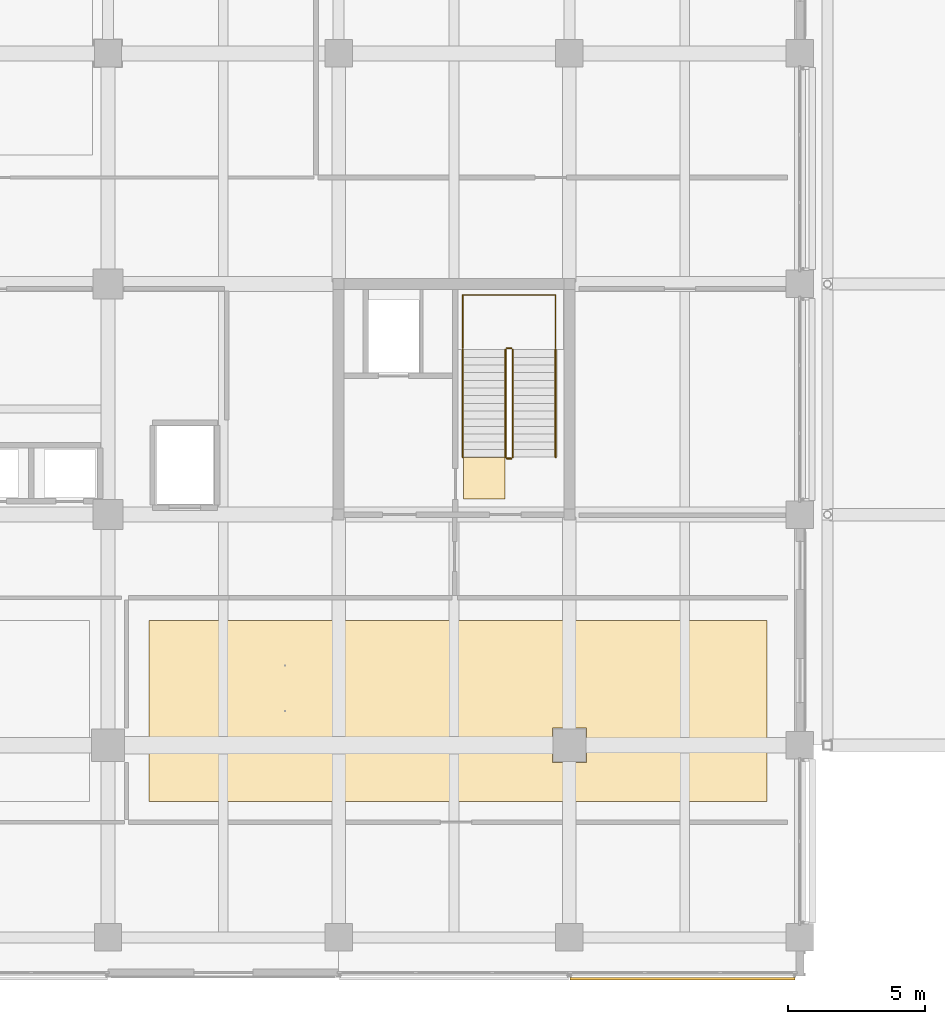
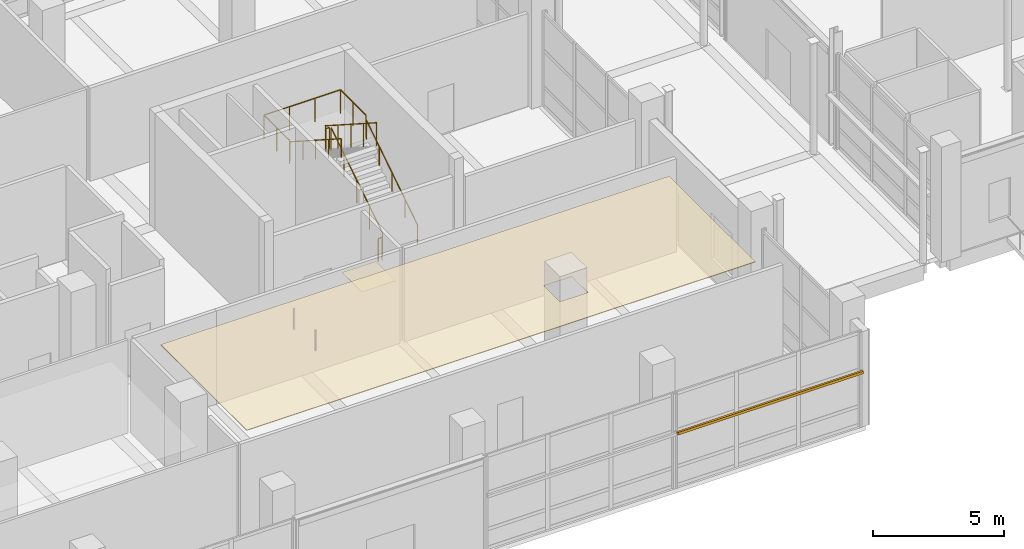
# One storey, part 115 of 140: 7 railings, 2 coverings, 1 shading device.
"""IFC4 building model written with IfcOpenShell, lengths in metres."""

from ifc_helpers import new_model, si_unit, direction, frame, origin, origin_2d, place, context, subcontext, project, spatial, polyline, rectangle, circle, outline, extrude, material, layer, layer_set, type_object, element, save


model = new_model("IFC4")

# Units and contexts
model_context = context("Model", 3, precision=1e-05, world=origin(), true_north=direction((0.0, 1.0)))
body_context = subcontext(model_context, "Body", "Model", "MODEL_VIEW")
ifc_project = project(units=[si_unit("LENGTHUNIT", "METRE"), si_unit("AREAUNIT", "SQUARE_METRE"), si_unit("VOLUMEUNIT", "CUBIC_METRE"), si_unit("PLANEANGLEUNIT", "RADIAN"), si_unit("MASSUNIT", "GRAM", prefix="KILO")], contexts=[model_context])

# Site, building, storey
site_placement = place(None, origin())
site = spatial("IfcSite", under=ifc_project, at=site_placement, CompositionType="ELEMENT")
building_placement = place(site_placement, origin())
building = spatial("IfcBuilding", under=site, at=building_placement, Name="Telukmera Botanical Conservatory", CompositionType="ELEMENT")
storey_placement = place(building_placement, origin())
storey = spatial("IfcBuildingStorey", under=building, at=storey_placement, Name="L00", CompositionType="ELEMENT", Elevation=0.0)

# Coverings
ifc_material_1 = material(Name="Mineral fibre acoustic ceiling")
ifc_layer_1 = layer(ifc_material_1, 0.030029296875)
ifc_layer_set_1 = layer_set([ifc_layer_1], Name="Mineral fibre acoustic ceiling")
covering_type_1 = type_object("IfcCoveringType", Name="COV-CEIL-30", PredefinedType="CEILING", material=ifc_layer_set_1)
covering_1_placement = place(storey_placement, frame((0.0, 0.0, 4.219970703125)))
element("IfcCovering", 1, at=covering_1_placement, inside=storey, type_object=covering_type_1, Name="L00 Herbarium Specimen Sorting Studio Suspended Acoustic Ceiling", PredefinedType="CEILING", context=body_context, shape_type="SweptSolid", body=[
    extrude(outline(polyline([(85.5, 15.550048828125), (108.0, 15.550048828125), (108.0, 22.14990234375), (85.5, 22.14990234375), (85.5, 15.550048828125)]), holes=[polyline([(100.179931640625, 16.97998046875), (101.419921875, 16.97998046875), (101.419921875, 18.219970703125), (100.179931640625, 18.219970703125), (100.179931640625, 16.97998046875)])]), origin(), (0.0, 0.0, 1.0), 0.030029296875),
])
ifc_material_2 = material(Name="Honed granite non-slip flooring", Category="masonry")
ifc_layer_2 = layer(ifc_material_2, 0.011962890625)
ifc_layer_set_2 = layer_set([ifc_layer_2], Name="Honed granite non-slip flooring")
covering_type_2 = type_object("IfcCoveringType", Name="COV-FLR-12", PredefinedType="FLOORING", material=ifc_layer_set_2)
covering_2_placement = place(storey_placement, origin())
element("IfcCovering", 2, at=covering_2_placement, inside=storey, type_object=covering_type_2, Name="L00 ST2 Non-Slip Stair Landing Finish", PredefinedType="FLOORING", context=body_context, shape_type="SweptSolid", body=[
    extrude(outline(polyline([(98.449951171875, 26.570068359375), (98.449951171875, 28.0849609375), (96.949951171875, 28.0849609375), (96.949951171875, 26.570068359375), (98.449951171875, 26.570068359375)])), origin(), (0.0, 0.0, 1.0), 0.011962890625),
])

# Shading device
ifc_material_3 = material(Name="Perforated terracotta-anodised aluminium 6063-T6", Category="masonry")
ifc_layer_3 = layer(ifc_material_3, 0.044921875)
ifc_layer_set_3 = layer_set([ifc_layer_3], Name="Perforated terracotta-anodised aluminium 6063-T6")
shading_device_type = type_object("IfcShadingDeviceType", Name="Perforated Terracotta Aluminium Monsoon Brise Soleil", PredefinedType="JALOUSIE", material=ifc_layer_set_3)
shading_device_placement = place(storey_placement, frame((104.925048828125, 9.094970703125, 2.58984375), z_axis=(0.0, 0.0, 1.0), x_axis=(1.0, 0.0, 0.0)))
element("IfcShadingDevice", 3, at=shading_device_placement, inside=storey, type_object=shading_device_type, Name="Monsoon Shading BS01 V4:L00:S7", PredefinedType="JALOUSIE", context=body_context, shape_type="SweptSolid", body=[
    extrude(rectangle(XDim=8.2060546875, YDim=0.090087890625, at=origin_2d()), origin(), (0.0, 0.0, 1.0), 0.1201171875),
])

# Railings
ifc_material_4 = material(Name="Steel S355", Category="steel")
railing_type_1 = type_object("IfcRailingType", Name="RL-GUARD-1100", PredefinedType="GUARDRAIL", material=ifc_material_4)
railing_1_placement = place(storey_placement, frame((98.739990234375, 28.090087890625, 0.179931640625)))
element("IfcRailing", 4, at=railing_1_placement, inside=storey, type_object=railing_type_1, Name="L00 ST2 stair guard 1", PredefinedType="GUARDRAIL", context=body_context, shape_type="SweptSolid", body=[
    extrude(circle(Radius=0.02392578125, at=origin_2d()), frame((0.0, 0.0, 1.076171875), z_axis=(0.0, 0.841171666519, 0.540768182723), x_axis=(-1.0, 0.0, 0.0)), (0.0, 0.0, 1.0), 4.66015625),
    extrude(circle(Radius=0.02099609375, at=origin_2d()), origin(), (0.0, 0.0, 1.0), 1.052001953125),
    extrude(circle(Radius=0.02099609375, at=origin_2d()), frame((0.0, 0.97998046875, 0.6298828125)), (0.0, 0.0, 1.0), 1.052001953125),
    extrude(circle(Radius=0.02099609375, at=origin_2d()), frame((0.0, 1.9599609375, 1.260009765625)), (0.0, 0.0, 1.0), 1.052001953125),
    extrude(circle(Radius=0.02099609375, at=origin_2d()), frame((0.0, 2.93994140625, 1.89013671875)), (0.0, 0.0, 1.0), 1.052001953125),
    extrude(circle(Radius=0.02099609375, at=origin_2d()), frame((0.0, 3.919921875, 2.52001953125)), (0.0, 0.0, 1.0), 1.052001953125),
])
railing_2_placement = place(storey_placement, frame((98.68994140625, 32.06005859375, 2.699951171875)))
element("IfcRailing", 5, at=railing_2_placement, inside=storey, type_object=railing_type_1, Name="L00 ST2 stair guard 2", PredefinedType="GUARDRAIL", context=body_context, shape_type="SweptSolid", body=[
    extrude(circle(Radius=0.02392578125, at=origin_2d()), frame((0.0, 0.0, 1.076171875), z_axis=(-1.0, 0.0, 0.0), x_axis=(0.0, -1.0, 0.0)), (0.0, 0.0, 1.0), 0.159912109375),
    extrude(circle(Radius=0.02099609375, at=origin_2d()), origin(), (0.0, 0.0, 1.0), 1.052001953125),
    extrude(circle(Radius=0.02099609375, at=origin_2d()), frame((-0.159912109375, 0.0, 0.0)), (0.0, 0.0, 1.0), 1.052001953125),
])
railing_3_placement = place(storey_placement, frame((98.47998046875, 32.010009765625, 2.8798828125)))
element("IfcRailing", 6, at=railing_3_placement, inside=storey, type_object=railing_type_1, Name="L00 ST2 stair guard 3", PredefinedType="GUARDRAIL", context=body_context, shape_type="SweptSolid", body=[
    extrude(circle(Radius=0.02392578125, at=origin_2d()), frame((0.0, 0.0, 1.076171875), z_axis=(0.0, -0.841171666519, 0.540768182723), x_axis=(1.0, 0.0, 0.0)), (0.0, 0.0, 1.0), 4.66015625),
    extrude(circle(Radius=0.02099609375, at=origin_2d()), origin(), (0.0, 0.0, 1.0), 1.052001953125),
    extrude(circle(Radius=0.02099609375, at=origin_2d()), frame((0.0, -0.97998046875, 0.6298828125)), (0.0, 0.0, 1.0), 1.052001953125),
    extrude(circle(Radius=0.02099609375, at=origin_2d()), frame((0.0, -1.9599609375, 1.260009765625)), (0.0, 0.0, 1.0), 1.052001953125),
    extrude(circle(Radius=0.02099609375, at=origin_2d()), frame((0.0, -2.93994140625, 1.89013671875)), (0.0, 0.0, 1.0), 1.052001953125),
    extrude(circle(Radius=0.02099609375, at=origin_2d()), frame((0.0, -3.919921875, 2.52001953125)), (0.0, 0.0, 1.0), 1.052001953125),
])
railing_4_placement = place(storey_placement, frame((98.68994140625, 28.0400390625, 0.0)))
element("IfcRailing", 7, at=railing_4_placement, inside=storey, type_object=railing_type_1, Name="L00 ST2 stair guard 4", PredefinedType="GUARDRAIL", context=body_context, shape_type="SweptSolid", body=[
    extrude(circle(Radius=0.02392578125, at=origin_2d()), frame((0.0, 0.0, 1.076171875), z_axis=(-1.0, 0.0, 0.0), x_axis=(0.0, -1.0, 0.0)), (0.0, 0.0, 1.0), 0.159912109375),
    extrude(circle(Radius=0.02099609375, at=origin_2d()), origin(), (0.0, 0.0, 1.0), 1.052001953125),
    extrude(circle(Radius=0.02099609375, at=origin_2d()), frame((-0.159912109375, 0.0, 0.0)), (0.0, 0.0, 1.0), 1.052001953125),
])
railing_5_placement = place(storey_placement, frame((100.300048828125, 32.06005859375, 2.699951171875)))
element("IfcRailing", 8, at=railing_5_placement, inside=storey, type_object=railing_type_1, Name="L00 ST2 half-landing perimeter guard 1", PredefinedType="GUARDRAIL", context=body_context, shape_type="SweptSolid", body=[
    extrude(circle(Radius=0.02392578125, at=origin_2d()), frame((0.0, 0.0, 1.09619140625), z_axis=(0.0, 1.0, 0.0), x_axis=(-1.0, 0.0, 0.0)), (0.0, 0.0, 1.0), 1.93994140625),
    extrude(circle(Radius=0.02392578125, at=origin_2d()), frame((0.0, 1.93994140625, 1.09619140625), z_axis=(-1.0, 0.0, 0.0), x_axis=(0.0, -1.0, 0.0)), (0.0, 0.0, 1.0), 3.380126953125),
    extrude(circle(Radius=0.02392578125, at=origin_2d()), frame((-3.380126953125, 1.93994140625, 1.09619140625), z_axis=(0.0, -1.0, 0.0), x_axis=(1.0, 0.0, 0.0)), (0.0, 0.0, 1.0), 1.93994140625),
    extrude(circle(Radius=0.02099609375, at=origin_2d()), origin(), (0.0, 0.0, 1.0), 1.072021484375),
    extrude(circle(Radius=0.02099609375, at=origin_2d()), frame((0.0, 0.969970703125, 0.0)), (0.0, 0.0, 1.0), 1.072021484375),
    extrude(circle(Radius=0.02099609375, at=origin_2d()), frame((0.0, 1.93994140625, 0.0)), (0.0, 0.0, 1.0), 1.072021484375),
    extrude(circle(Radius=0.02099609375, at=origin_2d()), frame((-1.126708984375, 1.93994140625, 0.0)), (0.0, 0.0, 1.0), 1.072021484375),
    extrude(circle(Radius=0.02099609375, at=origin_2d()), frame((-2.25341796875, 1.93994140625, 0.0)), (0.0, 0.0, 1.0), 1.072021484375),
    extrude(circle(Radius=0.02099609375, at=origin_2d()), frame((-3.380126953125, 1.93994140625, 0.0)), (0.0, 0.0, 1.0), 1.072021484375),
    extrude(circle(Radius=0.02099609375, at=origin_2d()), frame((-3.380126953125, 0.969970703125, 0.0)), (0.0, 0.0, 1.0), 1.072021484375),
    extrude(circle(Radius=0.02099609375, at=origin_2d()), frame((-3.380126953125, 0.0, 0.0)), (0.0, 0.0, 1.0), 1.072021484375),
])
ifc_material_5 = material(Name="Stainless steel 316", Category="steel")
railing_type_2 = type_object("IfcRailingType", Name="RL-HAND-900", PredefinedType="HANDRAIL", material=ifc_material_5)
railing_6_placement = place(storey_placement, frame((100.300048828125, 28.090087890625, 0.179931640625)))
element("IfcRailing", 9, at=railing_6_placement, inside=storey, type_object=railing_type_2, Name="L00 ST2 stair handrail 1", PredefinedType="HANDRAIL", context=body_context, shape_type="SweptSolid", body=[
    extrude(circle(Radius=0.02392578125, at=origin_2d()), frame((0.0, 0.0, 0.8759765625), z_axis=(0.0, 0.841171666519, 0.540768182723), x_axis=(-1.0, 0.0, 0.0)), (0.0, 0.0, 1.0), 4.66015625),
    extrude(circle(Radius=0.02099609375, at=origin_2d()), origin(), (0.0, 0.0, 1.0), 0.851806640625),
    extrude(circle(Radius=0.02099609375, at=origin_2d()), frame((0.0, 0.97998046875, 0.6298828125)), (0.0, 0.0, 1.0), 0.851806640625),
    extrude(circle(Radius=0.02099609375, at=origin_2d()), frame((0.0, 1.9599609375, 1.260009765625)), (0.0, 0.0, 1.0), 0.851806640625),
    extrude(circle(Radius=0.02099609375, at=origin_2d()), frame((0.0, 2.93994140625, 1.89013671875)), (0.0, 0.0, 1.0), 0.851806640625),
    extrude(circle(Radius=0.02099609375, at=origin_2d()), frame((0.0, 3.919921875, 2.52001953125)), (0.0, 0.0, 1.0), 0.851806640625),
])
railing_7_placement = place(storey_placement, frame((96.919921875, 32.010009765625, 2.8798828125)))
element("IfcRailing", 10, at=railing_7_placement, inside=storey, type_object=railing_type_2, Name="L00 ST2 stair handrail 2", PredefinedType="HANDRAIL", context=body_context, shape_type="SweptSolid", body=[
    extrude(circle(Radius=0.02392578125, at=origin_2d()), frame((0.0, 0.0, 0.8759765625), z_axis=(0.0, -0.841171666519, 0.540768182723), x_axis=(1.0, 0.0, 0.0)), (0.0, 0.0, 1.0), 4.66015625),
    extrude(circle(Radius=0.02099609375, at=origin_2d()), origin(), (0.0, 0.0, 1.0), 0.851806640625),
    extrude(circle(Radius=0.02099609375, at=origin_2d()), frame((0.0, -0.97998046875, 0.6298828125)), (0.0, 0.0, 1.0), 0.851806640625),
    extrude(circle(Radius=0.02099609375, at=origin_2d()), frame((0.0, -1.9599609375, 1.260009765625)), (0.0, 0.0, 1.0), 0.851806640625),
    extrude(circle(Radius=0.02099609375, at=origin_2d()), frame((0.0, -2.93994140625, 1.89013671875)), (0.0, 0.0, 1.0), 0.851806640625),
    extrude(circle(Radius=0.02099609375, at=origin_2d()), frame((0.0, -3.919921875, 2.52001953125)), (0.0, 0.0, 1.0), 0.851806640625),
])

save(model, "model.ifc")
